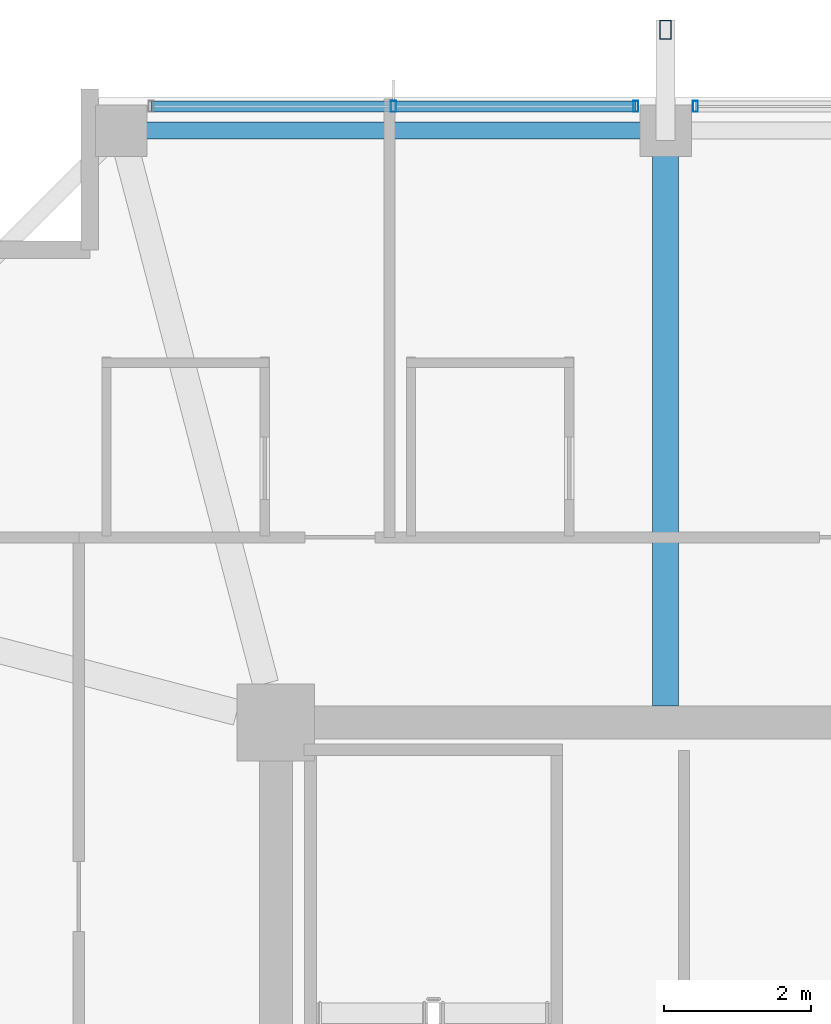
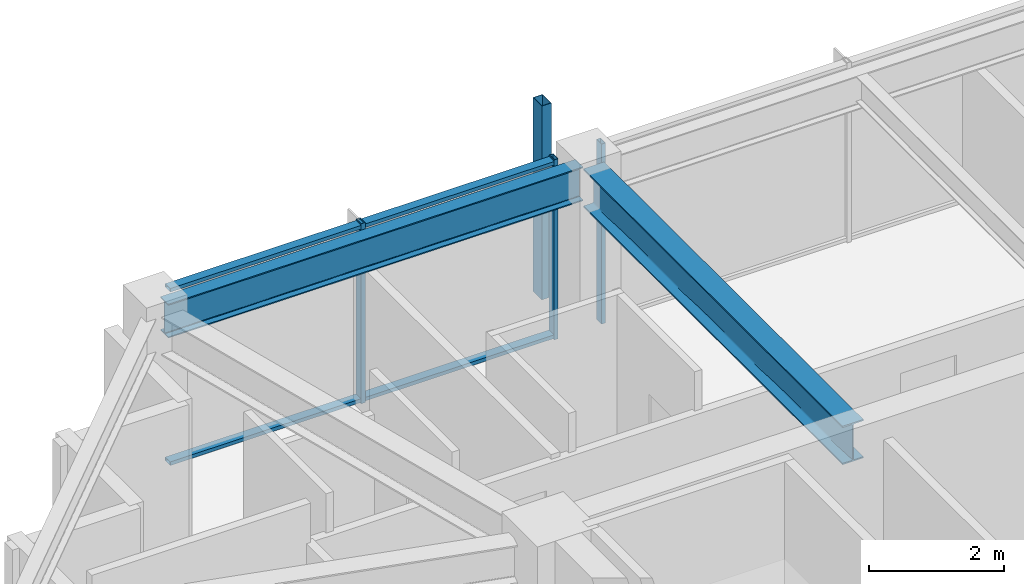
# One storey, part 15 of 29: 6 members, 2 beams, 2 elements without a shape of their own.
"""IFC4 building model written with IfcOpenShell, lengths in metres."""

from ifc_helpers import new_model, si_unit, direction, frame, origin, origin_2d, place, context, subcontext, project, spatial, hollow_rectangle, i_section, extrude, material, material_profile, profile_set, type_object, element, aggregate, save


model = new_model("IFC4")

# Units and contexts
model_context = context("Model", 3, precision=1e-05, world=origin(), true_north=direction((0.0, 1.0)))
body_context = subcontext(model_context, "Body", "Model", "MODEL_VIEW")
ifc_project = project(units=[si_unit("LENGTHUNIT", "METRE"), si_unit("AREAUNIT", "SQUARE_METRE"), si_unit("VOLUMEUNIT", "CUBIC_METRE"), si_unit("PLANEANGLEUNIT", "RADIAN"), si_unit("MASSUNIT", "GRAM", prefix="KILO")], contexts=[model_context])

# Site, building, storey
site_placement = place(None, origin())
site = spatial("IfcSite", under=ifc_project, at=site_placement, CompositionType="ELEMENT")
building_placement = place(site_placement, origin())
building = spatial("IfcBuilding", under=site, at=building_placement, Name="Kolvaren Belvedere", CompositionType="ELEMENT")
storey_placement = place(building_placement, frame((0.0, 0.0, 244.39990234375)))
storey = spatial("IfcBuildingStorey", under=building, at=storey_placement, Name="L71", CompositionType="ELEMENT", Elevation=244.39990234375)

# Beams
ifc_material_1 = material(Name="Structural steel ASTM A992 Grade 50", Category="steel")
ifc_material_profile_1 = material_profile(ifc_material_1, i_section(OverallWidth=0.35498046875, OverallDepth=0.696044921875, WebThickness=0.015380859375, FlangeThickness=0.02490234375, FilletRadius=0.02197265625, at=origin_2d()), Name="W27X146")
ifc_profile_set_1 = profile_set([ifc_material_profile_1], Name="Structural steel ASTM A992 Grade 50")
beam_type_1 = type_object("IfcBeamType", Name="BM-GIRD-W27X146", PredefinedType="BEAM", material=ifc_profile_set_1)
beam_1_placement = place(storey_placement, frame((-4.60009765625, 10.125, 2.902099609375), z_axis=(0.0, 1.0, 0.0), x_axis=(-1.0, 0.0, 0.0)))
element("IfcBeam", 1, at=beam_1_placement, inside=storey, type_object=beam_type_1, Name="L71 North Radial Girder M", PredefinedType="BEAM", context=body_context, shape_type="SweptSolid", body=[
    extrude(i_section(OverallWidth=0.35498046875, OverallDepth=0.696044921875, WebThickness=0.015380859375, FlangeThickness=0.02490234375, FilletRadius=0.02197265625, at=origin_2d()), origin(), (0.0, 0.0, 1.0), 7.66748046875),
])
ifc_material_2 = material(Name="Structural steel ASTM A992 Grade 50", Category="steel")
ifc_material_profile_2 = material_profile(ifc_material_2, i_section(OverallWidth=0.22900390625, OverallDepth=0.612060546875, WebThickness=0.011962890625, FlangeThickness=0.01953125, FilletRadius=0.01806640625, at=origin_2d()), Name="W24X84")
ifc_profile_set_2 = profile_set([ifc_material_profile_2], Name="Structural steel ASTM A992 Grade 50")
beam_type_2 = type_object("IfcBeamType", Name="BM-SPAN-W24X84", PredefinedType="SPANDREL", material=ifc_profile_set_2)
beam_2_placement = place(storey_placement, frame((-4.757568359375, 17.949951171875, 2.944091796875), z_axis=(-1.0, 0.0, 0.0), x_axis=(0.0, -1.0, 0.0)))
element("IfcBeam", 2, at=beam_2_placement, inside=storey, type_object=beam_type_2, Name="L71 Perimeter Spandrel N2-N1", PredefinedType="SPANDREL", context=body_context, shape_type="SweptSolid", body=[
    extrude(i_section(OverallWidth=0.22900390625, OverallDepth=0.612060546875, WebThickness=0.011962890625, FlangeThickness=0.01953125, FilletRadius=0.01806640625, at=origin_2d()), origin(), (0.0, 0.0, 1.0), 7.0849609375),
])

# Curtain wall, members
ifc_material_3 = material(Name="Anodised pale-metal aluminium AA 6063-T6", Category="aluminium")
curtain_wall_type = type_object("IfcCurtainWallType", Name="CW-Z5-HIGH", PredefinedType="NOTDEFINED", material=ifc_material_3)
curtain_wall_1_placement = place(storey_placement, origin())
curtain_wall_1 = element("IfcCurtainWall", 3, at=curtain_wall_1_placement, inside=storey, type_object=curtain_wall_type, Name="L71 Unitised Curtain Wall FCW-L71-N-B1", PredefinedType="NOTDEFINED")
ifc_material_4 = material(Name="Anodised pale-metal aluminium AA 6063-T6", Category="aluminium")
ifc_material_profile_3 = material_profile(ifc_material_4, hollow_rectangle(XDim=0.070068359375, YDim=0.14990234375, WallThickness=0.004150390625, at=origin_2d()), Name="ALU-MUL-150X70")
ifc_profile_set_3 = profile_set([ifc_material_profile_3], Name="Anodised pale-metal aluminium AA 6063-T6")
member_type_1 = type_object("IfcMemberType", Name="CW-MUL-150", PredefinedType="MULLION", material=ifc_profile_set_3)
member_1_placement = place(storey_placement, frame((-8.300048828125, 18.280029296875, 0.0), z_axis=(0.0, 0.0, 1.0), x_axis=(1.0, 0.0, 0.0)))
member_1 = element("IfcMember", 4, at=member_1_placement, type_object=member_type_1, Name="FCW-L71-N-B1 Unitised Mullion 2", PredefinedType="MULLION", context=body_context, shape_type="SweptSolid", body=[
    extrude(hollow_rectangle(XDim=0.070068359375, YDim=0.14990234375, WallThickness=0.004150390625, at=origin_2d()), origin(), (0.0, 0.0, 1.0), 3.25),
])
member_2_placement = place(storey_placement, frame((-5.0048828125, 18.280029296875, 0.0), z_axis=(0.0, 0.0, 1.0), x_axis=(1.0, 0.0, 0.0)))
member_2 = element("IfcMember", 5, at=member_2_placement, type_object=member_type_1, Name="FCW-L71-N-B1 Unitised Mullion 3", PredefinedType="MULLION", context=body_context, shape_type="SweptSolid", body=[
    extrude(hollow_rectangle(XDim=0.070068359375, YDim=0.14990234375, WallThickness=0.004150390625, at=origin_2d()), origin(), (0.0, 0.0, 1.0), 3.25),
])

# Curtain wall, member
curtain_wall_2_placement = place(storey_placement, origin())
curtain_wall_2 = element("IfcCurtainWall", 6, at=curtain_wall_2_placement, inside=storey, type_object=curtain_wall_type, Name="L71 Unitised Curtain Wall FCW-L71-N-B2", PredefinedType="NOTDEFINED")
member_3_placement = place(storey_placement, frame((-4.195068359375, 18.280029296875, 0.0), z_axis=(0.0, 0.0, 1.0), x_axis=(1.0, 0.0, 0.0)))
member_3 = element("IfcMember", 7, at=member_3_placement, type_object=member_type_1, Name="FCW-L71-N-B2 Unitised Mullion 1", PredefinedType="MULLION", context=body_context, shape_type="SweptSolid", body=[
    extrude(hollow_rectangle(XDim=0.070068359375, YDim=0.14990234375, WallThickness=0.004150390625, at=origin_2d()), origin(), (0.0, 0.0, 1.0), 3.25),
])
aggregate(curtain_wall_2, [member_3])

# Member
ifc_material_5 = material(Name="Anodised pale-metal aluminium AA 6063-T6", Category="aluminium")
ifc_material_profile_4 = material_profile(ifc_material_5, hollow_rectangle(XDim=0.06494140625, YDim=0.14990234375, WallThickness=0.00390625, at=origin_2d()), Name="ALU-TRN-150X65")
ifc_profile_set_4 = profile_set([ifc_material_profile_4], Name="Anodised pale-metal aluminium AA 6063-T6")
member_type_2 = type_object("IfcMemberType", Name="CW-TRN-150", PredefinedType="USERDEFINED", material=ifc_profile_set_4)
member_4_placement = place(storey_placement, frame((-11.594970703125, 18.280029296875, 0.06005859375), z_axis=(1.0, 0.0, 0.0), x_axis=(0.0, 0.0, 1.0)))
member_4 = element("IfcMember", 8, at=member_4_placement, type_object=member_type_2, Name="FCW-L71-N-B1 Sill Transom", ObjectType="TRANSOM", PredefinedType="USERDEFINED", context=body_context, shape_type="SweptSolid", body=[
    extrude(hollow_rectangle(XDim=0.06494140625, YDim=0.14990234375, WallThickness=0.00390625, at=origin_2d()), origin(), (0.0, 0.0, 1.0), 6.590087890625),
])

member_5_placement = place(storey_placement, frame((-11.594970703125, 18.280029296875, 3.190185546875), z_axis=(1.0, 0.0, 0.0), x_axis=(0.0, 0.0, 1.0)))
member_5 = element("IfcMember", 9, at=member_5_placement, type_object=member_type_2, Name="FCW-L71-N-B1 Head Transom", ObjectType="TRANSOM", PredefinedType="USERDEFINED", context=body_context, shape_type="SweptSolid", body=[
    extrude(hollow_rectangle(XDim=0.06494140625, YDim=0.14990234375, WallThickness=0.00390625, at=origin_2d()), origin(), (0.0, 0.0, 1.0), 6.590087890625),
])

aggregate(curtain_wall_1, [member_1, member_2, member_4, member_5])

ifc_material_6 = material(Name="Anodised pale-metal aluminium AA 6063-T6", Category="aluminium")
ifc_material_profile_5 = material_profile(ifc_material_6, hollow_rectangle(XDim=0.159912109375, YDim=0.260009765625, WallThickness=0.006591796875, at=origin_2d()), Name="ALU-PF-260X160")
ifc_profile_set_5 = profile_set([ifc_material_profile_5], Name="Anodised pale-metal aluminium AA 6063-T6")
member_type_3 = type_object("IfcMemberType", Name="PF-FRAME-260", PredefinedType="USERDEFINED", material=ifc_profile_set_5)
member_6_placement = place(storey_placement, frame((-4.60009765625, 19.320068359375, 0.0), z_axis=(0.0, 0.0, 1.0), x_axis=(1.0, 0.0, 0.0)))
element("IfcMember", 10, at=member_6_placement, inside=storey, type_object=member_type_3, Name="L71 Outboard Picture-Frame Vertical N1", ObjectType="PICTURE FRAME FIN", PredefinedType="USERDEFINED", context=body_context, shape_type="SweptSolid", body=[
    extrude(hollow_rectangle(XDim=0.159912109375, YDim=0.260009765625, WallThickness=0.006591796875, at=origin_2d()), origin(), (0.0, 0.0, 1.0), 3.5),
])

save(model, "model.ifc")
